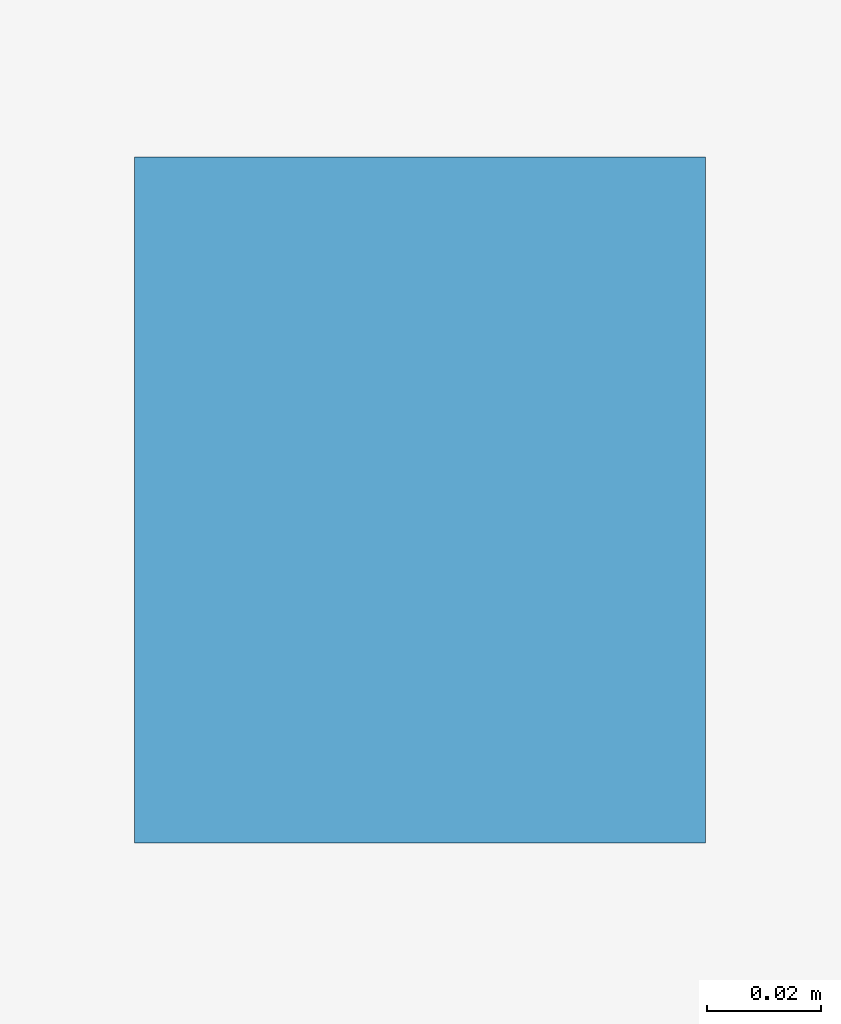
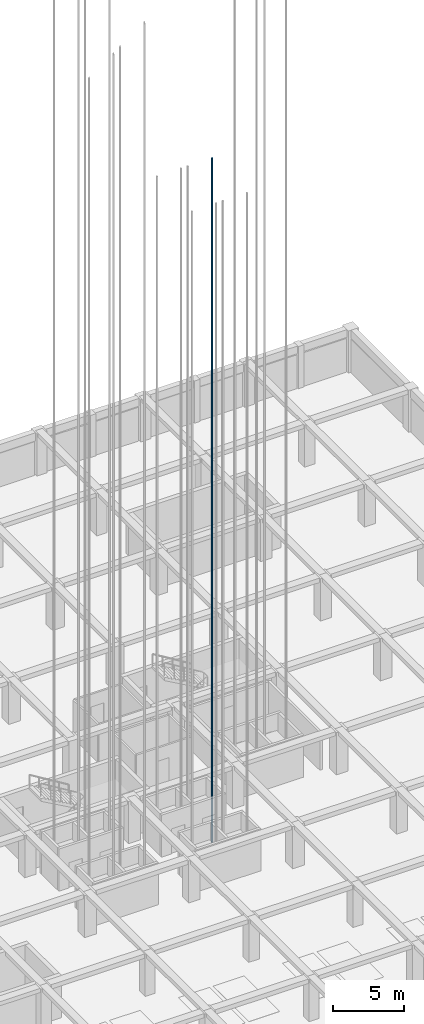
# One storey, part 40 of 47: 1 discrete accessory.
"""IFC4 building model written with IfcOpenShell, lengths in metres."""

from ifc_helpers import new_model, si_unit, direction, frame, origin, origin_2d, place, context, subcontext, project, spatial, rectangle, extrude, material, layer, layer_set, type_object, element, save


model = new_model("IFC4")

# Units and contexts
model_context = context("Model", 3, precision=1e-05, world=origin(), true_north=direction((0.0, 1.0)))
body_context = subcontext(model_context, "Body", "Model", "MODEL_VIEW")
ifc_project = project(units=[si_unit("LENGTHUNIT", "METRE"), si_unit("AREAUNIT", "SQUARE_METRE"), si_unit("VOLUMEUNIT", "CUBIC_METRE"), si_unit("PLANEANGLEUNIT", "RADIAN"), si_unit("MASSUNIT", "GRAM", prefix="KILO")], contexts=[model_context])

# Site, building, storey
site_placement = place(None, origin())
site = spatial("IfcSite", under=ifc_project, at=site_placement, CompositionType="ELEMENT")
building_placement = place(site_placement, origin())
building = spatial("IfcBuilding", under=site, at=building_placement, Name="Almacenes y Pasaje Nevantli", CompositionType="ELEMENT")
storey_placement = place(building_placement, frame((0.0, 0.0, -8.10009765625)))
storey = spatial("IfcBuildingStorey", under=building, at=storey_placement, Name="B02", CompositionType="ELEMENT", Elevation=-8.10009765625)

# Discrete accessory
ifc_material = material(Name="Steel ASTM A36", Category="steel")
ifc_layer = layer(ifc_material, 0.1201171875)
ifc_layer_set = layer_set([ifc_layer], Name="Steel ASTM A36")
discrete_accessory_type = type_object("IfcDiscreteAccessoryType", Name="ACC-LIFT-RAIL", PredefinedType="BRACKET", material=ifc_layer_set)
discrete_accessory_placement = place(storey_placement, frame((131.530029296875, 73.85009765625, -1.199951171875), z_axis=(0.0, 0.0, 1.0), x_axis=(1.0, 0.0, 0.0)))
element("IfcDiscreteAccessory", 1, at=discrete_accessory_placement, inside=storey, type_object=discrete_accessory_type, Name="Elevator Steel T-Section Guide Rail ELV-P04-E", PredefinedType="BRACKET", context=body_context, shape_type="SweptSolid", body=[
    extrude(rectangle(XDim=0.10009765625, YDim=0.1201171875, at=origin_2d()), origin(), (0.0, 0.0, 1.0), 58.5),
])

save(model, "model.ifc")
